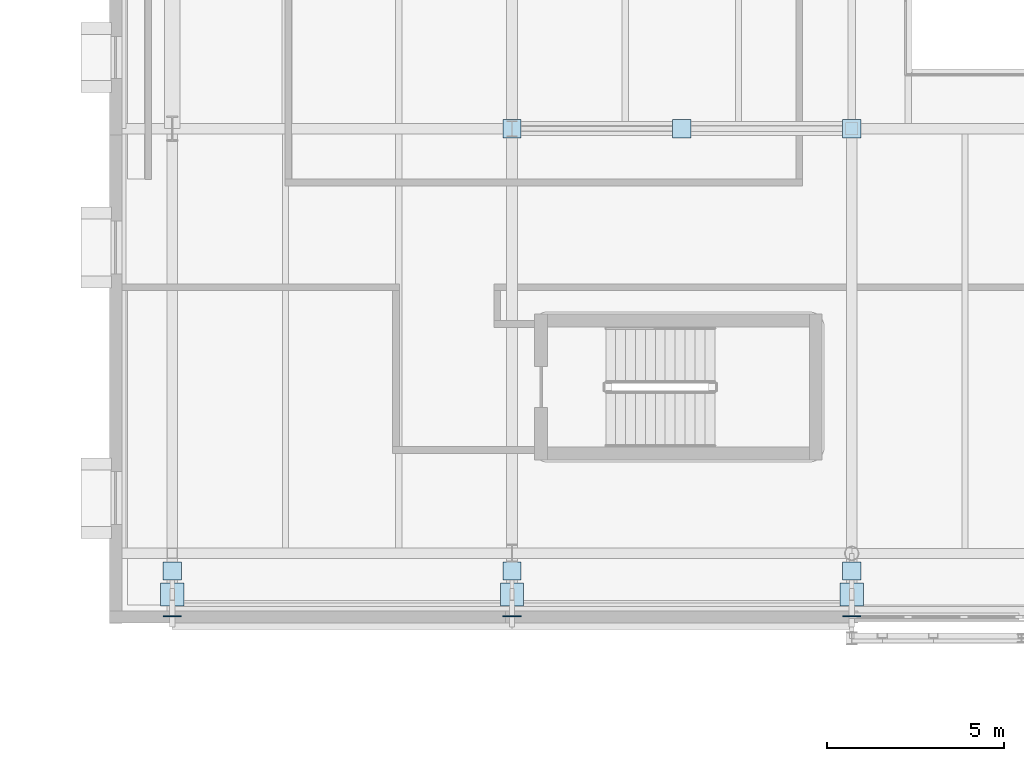
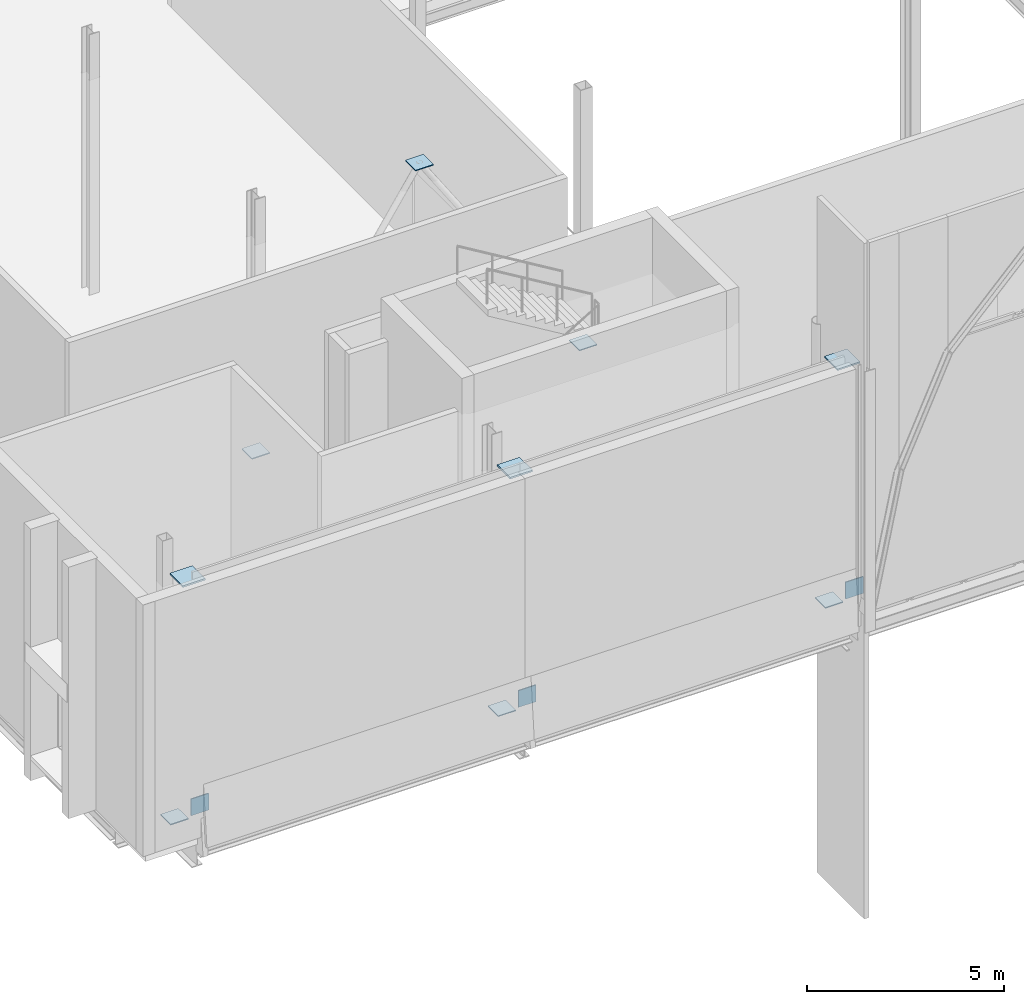
# One storey, part 46 of 79: 12 plates.
"""IFC4 building model written with IfcOpenShell, lengths in metres."""

from ifc_helpers import new_model, si_unit, direction, frame, origin, origin_2d, place, context, subcontext, project, spatial, rectangle, extrude, material, layer, layer_set, type_object, element, save


model = new_model("IFC4")

# Units and contexts
model_context = context("Model", 3, precision=1e-05, world=origin(), true_north=direction((0.0, 1.0)))
body_context = subcontext(model_context, "Body", "Model", "MODEL_VIEW")
ifc_project = project(units=[si_unit("LENGTHUNIT", "METRE"), si_unit("AREAUNIT", "SQUARE_METRE"), si_unit("VOLUMEUNIT", "CUBIC_METRE"), si_unit("PLANEANGLEUNIT", "RADIAN"), si_unit("MASSUNIT", "GRAM", prefix="KILO")], contexts=[model_context])

# Site, building, storey
site_placement = place(None, origin())
site = spatial("IfcSite", under=ifc_project, at=site_placement, CompositionType="ELEMENT")
building_placement = place(site_placement, origin())
building = spatial("IfcBuilding", under=site, at=building_placement, Name="Zereglee Splitstone Museum", CompositionType="ELEMENT")
storey_placement = place(building_placement, frame((0.0, 0.0, 9.0)))
storey = spatial("IfcBuildingStorey", under=building, at=storey_placement, Name="L02", CompositionType="ELEMENT", Elevation=9.0)

# Plates
ifc_material = material(Name="Steel S355J2", Category="steel")
ifc_layer_1 = layer(ifc_material, 0.030029296875)
ifc_layer_set_1 = layer_set([ifc_layer_1], Name="Steel S355J2")
plate_type_1 = type_object("IfcPlateType", Name="NP-04", PredefinedType="SHEET", material=ifc_layer_set_1)
for number, where, z_axis, x_axis, name in (
    (1, (87.60009765625, 21.60009765625, 0.10498046875), (0.0, 0.0, 1.0), (1.0, 0.0, 0.0), "CBF Brace Gusset Cap L02-007"),
    (2, (97.199951171875, 21.60009765625, 0.10498046875), (0.0, 0.0, 1.0), (1.0, 0.0, 0.0), "CBF Brace Gusset Cap L02-007"),
    (3, (92.39990234375, 21.60009765625, 7.36474609375), (0.0, 0.0, 1.0), (1.0, 0.0, 0.0), "CBF Brace Gusset Cap L02-007"),
    (4, (78.0, 9.10009765625, -0.294921875), (0.0, 0.0, 1.0), (1.0, 0.0, 0.0), "Facet Tie Seal Plate FH-V2SW"),
):
    element("IfcPlate", number, at=place(storey_placement, frame(where, z_axis=z_axis, x_axis=x_axis)), inside=storey, type_object=plate_type_1, Name=name, PredefinedType="SHEET", context=body_context, shape_type="SweptSolid", body=[
        extrude(rectangle(XDim=0.52001953125, YDim=0.52001953125, at=origin_2d()), origin(), (0.0, 0.0, 1.0), 0.030029296875),
    ])
plate_1_placement = place(storey_placement, frame((78.0, 7.827392578125, 0.619873046875), z_axis=(0.0, 0.0, 1.0), x_axis=(1.0, 0.0, 0.0)))
element("IfcPlate", 5, at=plate_1_placement, inside=storey, type_object=plate_type_1, Name="Facet Tie Seal Plate FH-V2SW", PredefinedType="SHEET", context=body_context, shape_type="SweptSolid", body=[
    extrude(rectangle(XDim=0.52001953125, YDim=0.030029296875, at=origin_2d()), origin(), (0.0, 0.0, 1.0), 0.52001953125),
])
plate_2_placement = place(storey_placement, frame((87.60009765625, 9.10009765625, -0.294921875), z_axis=(0.0, 0.0, 1.0), x_axis=(1.0, 0.0, 0.0)))
element("IfcPlate", 6, at=plate_2_placement, inside=storey, type_object=plate_type_1, Name="Facet Tie Seal Plate FH-V2SW", PredefinedType="SHEET", context=body_context, shape_type="SweptSolid", body=[
    extrude(rectangle(XDim=0.52001953125, YDim=0.52001953125, at=origin_2d()), origin(), (0.0, 0.0, 1.0), 0.030029296875),
])
plate_3_placement = place(storey_placement, frame((87.60009765625, 7.827392578125, 0.619873046875), z_axis=(0.0, 0.0, 1.0), x_axis=(1.0, 0.0, 0.0)))
element("IfcPlate", 7, at=plate_3_placement, inside=storey, type_object=plate_type_1, Name="Facet Tie Seal Plate FH-V2SW", PredefinedType="SHEET", context=body_context, shape_type="SweptSolid", body=[
    extrude(rectangle(XDim=0.52001953125, YDim=0.030029296875, at=origin_2d()), origin(), (0.0, 0.0, 1.0), 0.52001953125),
])
plate_4_placement = place(storey_placement, frame((97.199951171875, 9.10009765625, -0.294921875), z_axis=(0.0, 0.0, 1.0), x_axis=(1.0, 0.0, 0.0)))
element("IfcPlate", 8, at=plate_4_placement, inside=storey, type_object=plate_type_1, Name="Facet Tie Seal Plate FH-V2SW", PredefinedType="SHEET", context=body_context, shape_type="SweptSolid", body=[
    extrude(rectangle(XDim=0.52001953125, YDim=0.52001953125, at=origin_2d()), origin(), (0.0, 0.0, 1.0), 0.030029296875),
])
plate_5_placement = place(storey_placement, frame((97.199951171875, 7.827392578125, 0.619873046875), z_axis=(0.0, 0.0, 1.0), x_axis=(1.0, 0.0, 0.0)))
element("IfcPlate", 9, at=plate_5_placement, inside=storey, type_object=plate_type_1, Name="Facet Tie Seal Plate FH-V2SW", PredefinedType="SHEET", context=body_context, shape_type="SweptSolid", body=[
    extrude(rectangle(XDim=0.52001953125, YDim=0.030029296875, at=origin_2d()), origin(), (0.0, 0.0, 1.0), 0.52001953125),
])
ifc_layer_2 = layer(ifc_material, 0.050048828125)
ifc_layer_set_2 = layer_set([ifc_layer_2], Name="Steel S355J2")
plate_type_2 = type_object("IfcPlateType", Name="NP-02", PredefinedType="SHEET", material=ifc_layer_set_2)
for number, where, z_axis, x_axis, name in (
    (10, (78.0, 8.43798828125, 7.544921875), (0.0, 0.0, 1.0), (1.0, 0.0, 0.0), "Facet Strut Seal Plate FH-V2SW"),
    (11, (87.60009765625, 8.43798828125, 7.544921875), (0.0, 0.0, 1.0), (1.0, 0.0, 0.0), "Facet Strut Seal Plate FH-V2SW"),
    (12, (97.199951171875, 8.43798828125, 7.544921875), (0.0, 0.0, 1.0), (1.0, 0.0, 0.0), "Facet Strut Seal Plate FH-V2SW"),
):
    element("IfcPlate", number, at=place(storey_placement, frame(where, z_axis=z_axis, x_axis=x_axis)), inside=storey, type_object=plate_type_2, Name=name, PredefinedType="SHEET", context=body_context, shape_type="SweptSolid", body=[
        extrude(rectangle(XDim=0.659912109375, YDim=0.659912109375, at=origin_2d()), origin(), (0.0, 0.0, 1.0), 0.050048828125),
    ])

save(model, "model.ifc")
